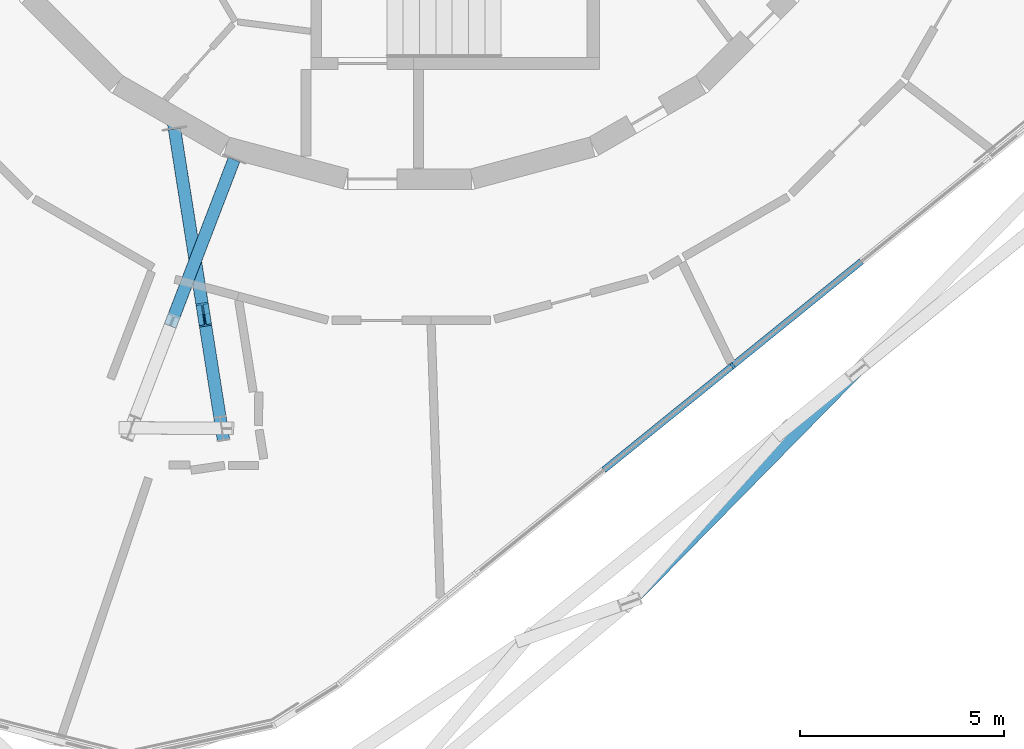
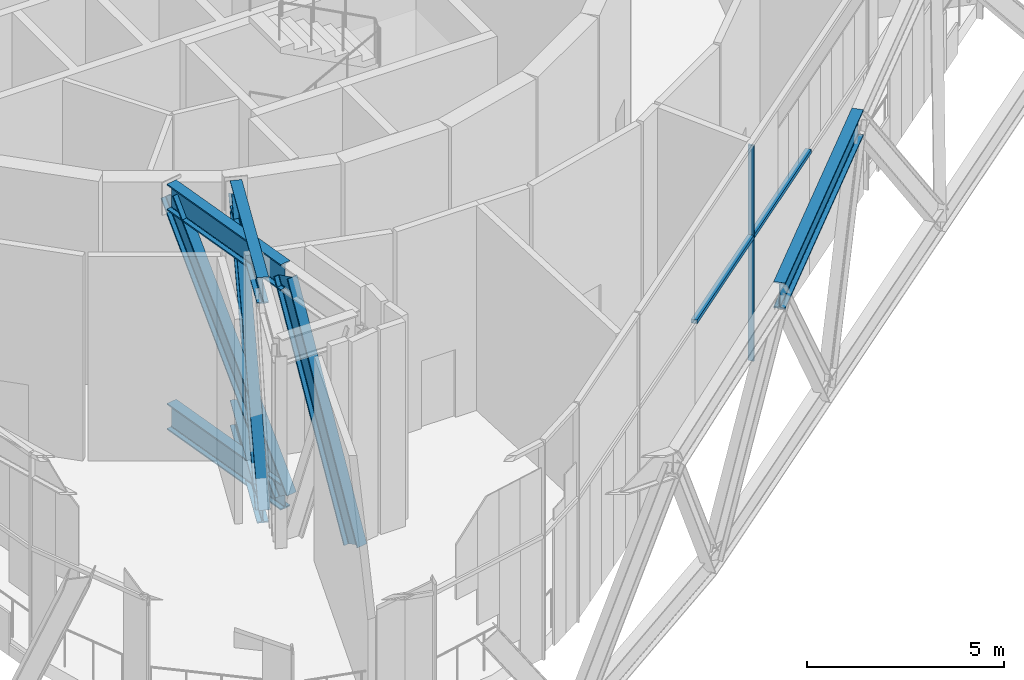
# One storey, part 2 of 25: 11 members, 1 element without a shape of its own.
"""IFC4 building model written with IfcOpenShell, lengths in metres."""

from ifc_helpers import new_model, si_unit, direction, frame, origin, origin_2d, place, context, subcontext, project, spatial, rectangle, i_section, extrude, material, layer, layer_set, material_profile, profile_set, type_object, element, aggregate, save


model = new_model("IFC4")

# Units and contexts
model_context = context("Model", 3, precision=1e-05, world=origin(), true_north=direction((0.0, 1.0)))
body_context = subcontext(model_context, "Body", "Model", "MODEL_VIEW")
ifc_project = project(units=[si_unit("LENGTHUNIT", "METRE"), si_unit("AREAUNIT", "SQUARE_METRE"), si_unit("VOLUMEUNIT", "CUBIC_METRE"), si_unit("PLANEANGLEUNIT", "RADIAN"), si_unit("MASSUNIT", "GRAM", prefix="KILO")], contexts=[model_context])

# Site, building, storey
site_placement = place(None, origin())
site = spatial("IfcSite", under=ifc_project, at=site_placement, CompositionType="ELEMENT")
building_placement = place(site_placement, origin())
building = spatial("IfcBuilding", under=site, at=building_placement, Name="Spindle Arch Residences", CompositionType="ELEMENT")
storey_placement = place(building_placement, frame((0.0, 0.0, 291.39990234375)))
storey = spatial("IfcBuildingStorey", under=building, at=storey_placement, Name="L75", CompositionType="ELEMENT", Elevation=291.39990234375)

# Member
ifc_material_1 = material(Name="Steel S460ML, intumescent coating R 240", Category="steel")
ifc_material_profile_1 = material_profile(ifc_material_1, i_section(OverallWidth=0.302978515625, OverallDepth=0.81396484375, WebThickness=0.02099609375, FlangeThickness=0.0400390625, FilletRadius=0.030029296875, at=origin_2d()), Name="HEM 800")
ifc_profile_set_1 = profile_set([ifc_material_profile_1], Name="Steel S460ML, intumescent coating R 240")
member_type_1 = type_object("IfcMemberType", Name="Belt truss chord HEM 800", PredefinedType="CHORD", material=ifc_profile_set_1)
member_1_placement = place(storey_placement, frame((5.397705078125, -21.9921875, 5.943115234375), z_axis=(0.700926669642, 0.713233344555, 0.0), x_axis=(-0.713233344555, 0.700926669642, 0.0)))
element("IfcMember", 1, at=member_1_placement, inside=storey, type_object=member_type_1, Name="Belt truss top chord L75.19", PredefinedType="CHORD", context=body_context, shape_type="SweptSolid", body=[
    extrude(i_section(OverallWidth=0.302978515625, OverallDepth=0.81396484375, WebThickness=0.02099609375, FlangeThickness=0.0400390625, FilletRadius=0.030029296875, at=origin_2d()), origin(), (0.0, 0.0, 1.0), 7.935302734375),
])

# Curtain wall, members
ifc_material_2 = material(Name="Aluminium bronze unitised frame with tinted glass", Category="aluminium")
ifc_layer = layer(ifc_material_2, 0.159912109375)
ifc_layer_set = layer_set([ifc_layer], Name="CW-E double-height winter garden wall")
curtain_wall_type = type_object("IfcCurtainWallType", Name="CW-E double-height winter garden wall", PredefinedType="NOTDEFINED", material=ifc_layer_set)
curtain_wall_placement = place(storey_placement, origin())
curtain_wall = element("IfcCurtainWall", 2, at=curtain_wall_placement, inside=storey, type_object=curtain_wall_type, Name="CW-E L75 run 6", PredefinedType="NOTDEFINED")
ifc_material_3 = material(Name="Aluminium bronze anodised mullion", Category="aluminium")
ifc_material_profile_2 = material_profile(ifc_material_3, rectangle(XDim=0.159912109375, YDim=0.06005859375, at=origin_2d()), Name="MU 60x160")
ifc_profile_set_2 = profile_set([ifc_material_profile_2], Name="Aluminium bronze anodised mullion")
member_type_2 = type_object("IfcMemberType", Name="Bronze mullion 60x160", PredefinedType="MULLION", material=ifc_profile_set_2)
member_2_placement = place(storey_placement, frame((7.910888671875, -16.210693359375, -0.449951171875), z_axis=(0.0, 0.0, 1.0), x_axis=(-0.62932039105, 0.777145961457, 0.0)))
member_2 = element("IfcMember", 3, at=member_2_placement, type_object=member_type_2, Name="CW-E mullion 19", PredefinedType="MULLION", context=body_context, shape_type="SweptSolid", body=[
    extrude(rectangle(XDim=0.159912109375, YDim=0.06005859375, at=origin_2d()), origin(), (0.0, 0.0, 1.0), 6.679931640625),
])
ifc_material_4 = material(Name="Aluminium bronze anodised transom", Category="aluminium")
ifc_material_profile_3 = material_profile(ifc_material_4, rectangle(XDim=0.159912109375, YDim=0.1201171875, at=origin_2d()), Name="TR 120x160")
ifc_profile_set_3 = profile_set([ifc_material_profile_3], Name="Aluminium bronze anodised transom")
member_type_3 = type_object("IfcMemberType", Name="Bronze transom 120x160", PredefinedType="USERDEFINED", material=ifc_profile_set_3)
member_3_placement = place(storey_placement, frame((4.760498046875, -18.761962890625, 3.400146484375), z_axis=(0.7771318277, 0.629337844385, 0.0), x_axis=(-0.629337844385, 0.7771318277, 0.0)))
member_3 = element("IfcMember", 4, at=member_3_placement, type_object=member_type_3, Name="CW-E transom 18Bm", ObjectType="TRANSOM", PredefinedType="USERDEFINED", context=body_context, shape_type="SweptSolid", body=[
    extrude(rectangle(XDim=0.159912109375, YDim=0.1201171875, at=origin_2d()), origin(), (0.0, 0.0, 1.0), 4.02392578125),
])
member_4_placement = place(storey_placement, frame((7.934326171875, -16.19189453125, 3.400146484375), z_axis=(0.777137471281, 0.6293308754, 0.0), x_axis=(-0.6293308754, 0.777137471281, 0.0)))
member_4 = element("IfcMember", 5, at=member_4_placement, type_object=member_type_3, Name="CW-E transom 19Am", ObjectType="TRANSOM", PredefinedType="USERDEFINED", context=body_context, shape_type="SweptSolid", body=[
    extrude(rectangle(XDim=0.159912109375, YDim=0.1201171875, at=origin_2d()), origin(), (0.0, 0.0, 1.0), 4.023681640625),
])
aggregate(curtain_wall, [member_3, member_2, member_4])

# Members
ifc_material_5 = material(Name="Steel S460ML, intumescent coating R 240", Category="steel")
ifc_material_profile_4 = material_profile(ifc_material_5, i_section(OverallWidth=0.302978515625, OverallDepth=0.81396484375, WebThickness=0.02099609375, FlangeThickness=0.0400390625, FilletRadius=0.030029296875, at=origin_2d()), Name="HEM 800")
ifc_profile_set_4 = profile_set([ifc_material_profile_4], Name="Steel S460ML, intumescent coating R 240")
member_type_4 = type_object("IfcMemberType", Name="Transfer truss chord HEM 800", PredefinedType="CHORD", material=ifc_profile_set_4)
for number, where, z_axis, x_axis, name in (
    (6, (-4.287109375, -11.168212890625, -0.85693359375), (-0.358355953346, -0.933585031318, 0.0), (0.933585031318, -0.358355953346, 0.0), "Transfer truss chord L75"),
    (7, (-4.287109375, -11.168212890625, 5.943115234375), (-0.358355953346, -0.933585031318, 0.0), (0.933585031318, -0.358355953346, 0.0), "Transfer truss chord L75"),
):
    element("IfcMember", number, at=place(storey_placement, frame(where, z_axis=z_axis, x_axis=x_axis)), inside=storey, type_object=member_type_4, Name=name, PredefinedType="CHORD", context=body_context, shape_type="SweptSolid", body=[
        extrude(i_section(OverallWidth=0.302978515625, OverallDepth=0.81396484375, WebThickness=0.02099609375, FlangeThickness=0.0400390625, FilletRadius=0.030029296875, at=origin_2d()), origin(), (0.0, 0.0, 1.0), 4.35888671875),
    ])
for number, where, z_axis, x_axis, name in (
    (8, (-5.743896484375, -10.421630859375, -0.85693359375), (0.155719839653, -0.987801261155, 0.0), (0.987801261155, 0.155719839653, 0.0), "Transfer truss chord L75"),
    (9, (-5.743896484375, -10.421630859375, 5.943115234375), (0.155719839653, -0.987801261155, 0.0), (0.987801261155, 0.155719839653, 0.0), "Transfer truss chord L75"),
):
    element("IfcMember", number, at=place(storey_placement, frame(where, z_axis=z_axis, x_axis=x_axis)), inside=storey, type_object=member_type_4, Name=name, PredefinedType="CHORD", context=body_context, shape_type="SweptSolid", body=[
        extrude(i_section(OverallWidth=0.302978515625, OverallDepth=0.81396484375, WebThickness=0.02099609375, FlangeThickness=0.0400390625, FilletRadius=0.030029296875, at=origin_2d()), origin(), (0.0, 0.0, 1.0), 4.596923828125),
    ])
ifc_material_6 = material(Name="Steel S460ML, intumescent coating R 240", Category="steel")
ifc_material_profile_5 = material_profile(ifc_material_6, i_section(OverallWidth=0.304931640625, OverallDepth=0.6201171875, WebThickness=0.02099609375, FlangeThickness=0.0400390625, FilletRadius=0.027099609375, at=origin_2d()), Name="HEM 600")
ifc_profile_set_5 = profile_set([ifc_material_profile_5], Name="Steel S460ML, intumescent coating R 240")
member_type_5 = type_object("IfcMemberType", Name="Transfer truss diagonal HEM 600", PredefinedType="BRACE", material=ifc_profile_set_5)
member_5_placement = place(storey_placement, frame((-5.84912109375, -15.237548828125, -0.85693359375), z_axis=(0.193386956968, 0.503809596553, 0.841889170435), x_axis=(-0.933585031318, 0.358355953346, 0.0)))
element("IfcMember", 10, at=member_5_placement, inside=storey, type_object=member_type_5, Name="Transfer truss diagonal L75", PredefinedType="BRACE", context=body_context, shape_type="SweptSolid", body=[
    extrude(i_section(OverallWidth=0.304931640625, OverallDepth=0.6201171875, WebThickness=0.02099609375, FlangeThickness=0.0400390625, FilletRadius=0.027099609375, at=origin_2d()), origin(), (0.0, 0.0, 1.0), 8.0771484375),
])
member_6_placement = place(storey_placement, frame((-5.028076171875, -14.96240234375, -0.85693359375), z_axis=(-0.087209815281, 0.553211239566, 0.828463501029), x_axis=(-0.987801261155, -0.155719839653, 0.0)))
element("IfcMember", 11, at=member_6_placement, inside=storey, type_object=member_type_5, Name="Transfer truss diagonal L75", PredefinedType="BRACE", context=body_context, shape_type="SweptSolid", body=[
    extrude(i_section(OverallWidth=0.304931640625, OverallDepth=0.6201171875, WebThickness=0.02099609375, FlangeThickness=0.0400390625, FilletRadius=0.027099609375, at=origin_2d()), origin(), (0.0, 0.0, 1.0), 8.2080078125),
])
member_7_placement = place(storey_placement, frame((-4.58935546875, -17.745361328125, -0.85693359375), z_axis=(-0.059604169653, 0.378090111228, 0.923848045271), x_axis=(-0.987800877727, -0.15572227189, 0.0)))
element("IfcMember", 12, at=member_7_placement, inside=storey, type_object=member_type_5, Name="Transfer truss diagonal L75", PredefinedType="BRACE", context=body_context, shape_type="SweptSolid", body=[
    extrude(i_section(OverallWidth=0.304931640625, OverallDepth=0.6201171875, WebThickness=0.02099609375, FlangeThickness=0.0400390625, FilletRadius=0.027099609375, at=origin_2d()), origin(), (0.0, 0.0, 1.0), 7.360595703125),
])

save(model, "model.ifc")
